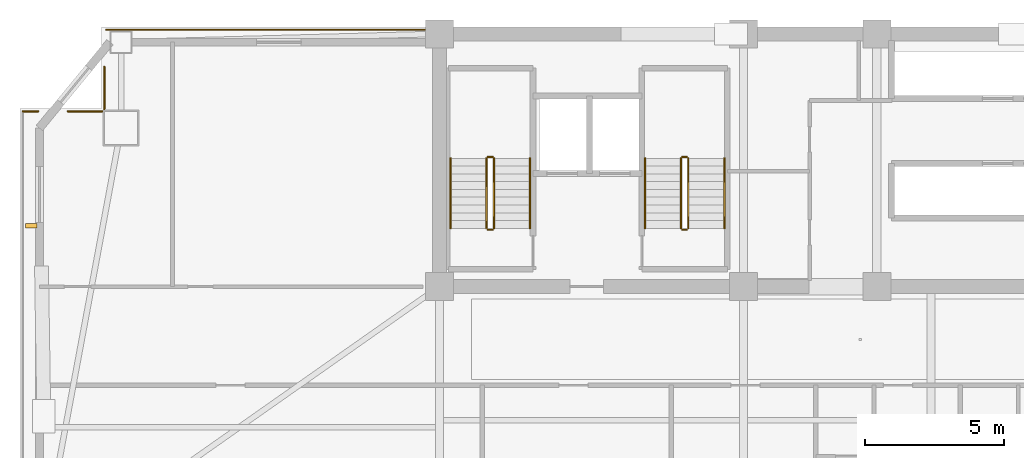
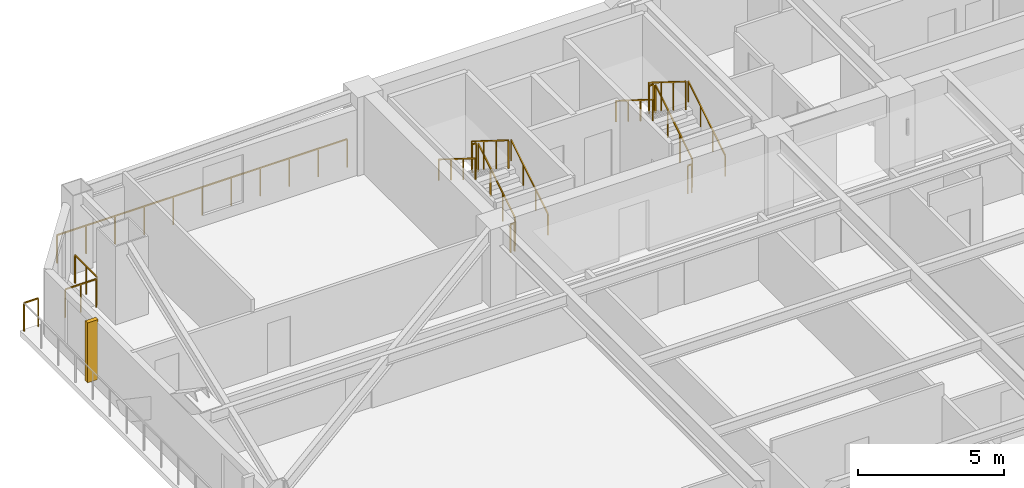
# One storey, part 14 of 15: 16 railings, 1 shading device.
"""IFC4 building model written with IfcOpenShell, lengths in metres."""

from ifc_helpers import new_model, si_unit, direction, frame, origin, origin_2d, place, context, subcontext, project, spatial, rectangle, extrude, source, transform, mapped, material, type_object, element, save


model = new_model("IFC4")

# Units and contexts
model_context = context("Model", 3, precision=1e-05, world=origin(), true_north=direction((0.0, 1.0)))
body_context = subcontext(model_context, "Body", "Model", "MODEL_VIEW")
ifc_project = project(units=[si_unit("LENGTHUNIT", "METRE"), si_unit("AREAUNIT", "SQUARE_METRE"), si_unit("VOLUMEUNIT", "CUBIC_METRE"), si_unit("PLANEANGLEUNIT", "RADIAN"), si_unit("MASSUNIT", "GRAM", prefix="KILO")], contexts=[model_context])

# Site, building, storey
site_placement = place(None, origin())
site = spatial("IfcSite", under=ifc_project, at=site_placement, CompositionType="ELEMENT")
building_placement = place(site_placement, origin())
building = spatial("IfcBuilding", under=site, at=building_placement, Name="Giltprow Tower", CompositionType="ELEMENT")
storey_placement = place(building_placement, frame((0.0, 0.0, 152.699951171875)))
storey = spatial("IfcBuildingStorey", under=building, at=storey_placement, Name="L37", CompositionType="ELEMENT", Elevation=152.699951171875)

# Railings
ifc_material = material(Name="Anodized bronze", Category="metal")
railing_type_1 = type_object("IfcRailingType", Name="RAIL-BALC-GUARD-1200", PredefinedType="BALUSTRADE", material=ifc_material)
railing_1_placement = place(storey_placement, frame((4.84912109375, 43.760986328125, 0.0)))
element("IfcRailing", 1, at=railing_1_placement, inside=storey, type_object=railing_type_1, Name="L37 Corner Apron Edge Balustrade 6", PredefinedType="BALUSTRADE", context=body_context, shape_type="SweptSolid", body=[
    extrude(rectangle(XDim=0.048095703125, YDim=0.048095703125, at=origin_2d()), frame((0.0, 0.0, 1.17578125), z_axis=(1.0, 0.0, 0.0), x_axis=(0.0, 1.0, 0.0)), (0.0, 0.0, 1.0), 0.561767578125),
    extrude(rectangle(XDim=0.0419921875, YDim=0.0419921875, at=origin_2d()), origin(), (0.0, 0.0, 1.0), 1.15185546875),
    extrude(rectangle(XDim=0.0419921875, YDim=0.0419921875, at=origin_2d()), frame((0.561767578125, 0.0, 0.0)), (0.0, 0.0, 1.0), 1.15185546875),
])
railing_2_placement = place(storey_placement, frame((6.472900390625, 43.760986328125, 0.0)))
element("IfcRailing", 2, at=railing_2_placement, inside=storey, type_object=railing_type_1, Name="L37 Corner Apron Edge Balustrade 7", PredefinedType="BALUSTRADE", context=body_context, shape_type="SweptSolid", body=[
    extrude(rectangle(XDim=0.048095703125, YDim=0.048095703125, at=origin_2d()), frame((0.0, 0.0, 1.17578125), z_axis=(1.0, 0.0, 0.0), x_axis=(0.0, 1.0, 0.0)), (0.0, 0.0, 1.0), 1.22998046875),
    extrude(rectangle(XDim=0.0419921875, YDim=0.0419921875, at=origin_2d()), origin(), (0.0, 0.0, 1.0), 1.15185546875),
    extrude(rectangle(XDim=0.0419921875, YDim=0.0419921875, at=origin_2d()), frame((0.614990234375, 0.0, 0.0)), (0.0, 0.0, 1.0), 1.15185546875),
    extrude(rectangle(XDim=0.0419921875, YDim=0.0419921875, at=origin_2d()), frame((1.22998046875, 0.0, 0.0)), (0.0, 0.0, 1.0), 1.15185546875),
])
railing_3_placement = place(storey_placement, frame((7.7880859375, 43.845947265625, 0.0)))
element("IfcRailing", 3, at=railing_3_placement, inside=storey, type_object=railing_type_1, Name="L37 Corner Apron Edge Balustrade 8", PredefinedType="BALUSTRADE", context=body_context, shape_type="SweptSolid", body=[
    extrude(rectangle(XDim=0.048095703125, YDim=0.048095703125, at=origin_2d()), frame((0.0, 0.0, 1.17578125), z_axis=(0.0, 1.0, 0.0), x_axis=(-1.0, 0.0, 0.0)), (0.0, 0.0, 1.0), 1.51513671875),
    extrude(rectangle(XDim=0.0419921875, YDim=0.0419921875, at=origin_2d()), origin(), (0.0, 0.0, 1.0), 1.15185546875),
    extrude(rectangle(XDim=0.0419921875, YDim=0.0419921875, at=origin_2d()), frame((0.0, 0.757568359375, 0.0)), (0.0, 0.0, 1.0), 1.15185546875),
    extrude(rectangle(XDim=0.0419921875, YDim=0.0419921875, at=origin_2d()), frame((0.0, 1.51513671875, 0.0)), (0.0, 0.0, 1.0), 1.15185546875),
])
railing_4_placement = place(storey_placement, frame((7.85009765625, 46.699951171875, 0.0)))
element("IfcRailing", 4, at=railing_4_placement, inside=storey, type_object=railing_type_1, Name="L37 Corner Apron Edge Balustrade 9", PredefinedType="BALUSTRADE", context=body_context, shape_type="SweptSolid", body=[
    extrude(rectangle(XDim=0.048095703125, YDim=0.048095703125, at=origin_2d()), frame((0.0, 0.0, 1.17578125), z_axis=(1.0, 0.0, 0.0), x_axis=(0.0, 1.0, 0.0)), (0.0, 0.0, 1.0), 11.46484375),
    extrude(rectangle(XDim=0.0419921875, YDim=0.0419921875, at=origin_2d()), origin(), (0.0, 0.0, 1.0), 1.15185546875),
    extrude(rectangle(XDim=0.0419921875, YDim=0.0419921875, at=origin_2d()), frame((1.146484375, 0.0, 0.0)), (0.0, 0.0, 1.0), 1.15185546875),
    extrude(rectangle(XDim=0.0419921875, YDim=0.0419921875, at=origin_2d()), frame((2.29296875, 0.0, 0.0)), (0.0, 0.0, 1.0), 1.15185546875),
    extrude(rectangle(XDim=0.0419921875, YDim=0.0419921875, at=origin_2d()), frame((3.439453125, 0.0, 0.0)), (0.0, 0.0, 1.0), 1.15185546875),
    extrude(rectangle(XDim=0.0419921875, YDim=0.0419921875, at=origin_2d()), frame((4.5859375, 0.0, 0.0)), (0.0, 0.0, 1.0), 1.15185546875),
    extrude(rectangle(XDim=0.0419921875, YDim=0.0419921875, at=origin_2d()), frame((5.732421875, 0.0, 0.0)), (0.0, 0.0, 1.0), 1.15185546875),
    extrude(rectangle(XDim=0.0419921875, YDim=0.0419921875, at=origin_2d()), frame((6.87890625, 0.0, 0.0)), (0.0, 0.0, 1.0), 1.15185546875),
    extrude(rectangle(XDim=0.0419921875, YDim=0.0419921875, at=origin_2d()), frame((8.025390625, 0.0, 0.0)), (0.0, 0.0, 1.0), 1.15185546875),
    extrude(rectangle(XDim=0.0419921875, YDim=0.0419921875, at=origin_2d()), frame((9.171875, 0.0, 0.0)), (0.0, 0.0, 1.0), 1.15185546875),
    extrude(rectangle(XDim=0.0419921875, YDim=0.0419921875, at=origin_2d()), frame((10.318359375, 0.0, 0.0)), (0.0, 0.0, 1.0), 1.15185546875),
    extrude(rectangle(XDim=0.0419921875, YDim=0.0419921875, at=origin_2d()), frame((11.46484375, 0.0, 0.0)), (0.0, 0.0, 1.0), 1.15185546875),
])
railing_type_2 = type_object("IfcRailingType", Name="RAIL-STAIR-GUARD-1200", PredefinedType="GUARDRAIL", material=ifc_material)
railing_5_placement = place(storey_placement, frame((21.81005859375, 39.550048828125, 0.175048828125)))
element("IfcRailing", 5, at=railing_5_placement, inside=storey, type_object=railing_type_2, Name="L37 ST-1 stair guard 1", PredefinedType="GUARDRAIL", context=body_context, shape_type="SweptSolid", body=[
    extrude(rectangle(XDim=0.048095703125, YDim=0.048095703125, at=origin_2d()), frame((0.0, 0.0, 1.17578125), z_axis=(0.0, 0.848007534815, 0.529984170421), x_axis=(-1.0, 0.0, 0.0)), (0.0, 0.0, 1.0), 2.9716796875),
    extrude(rectangle(XDim=0.0419921875, YDim=0.0419921875, at=origin_2d()), origin(), (0.0, 0.0, 1.0), 1.15185546875),
    extrude(rectangle(XDim=0.0419921875, YDim=0.0419921875, at=origin_2d()), frame((0.0, 0.840087890625, 0.52490234375)), (0.0, 0.0, 1.0), 1.15185546875),
    extrude(rectangle(XDim=0.0419921875, YDim=0.0419921875, at=origin_2d()), frame((0.0, 1.679931640625, 1.050048828125)), (0.0, 0.0, 1.0), 1.15185546875),
    extrude(rectangle(XDim=0.0419921875, YDim=0.0419921875, at=origin_2d()), frame((0.0, 2.52001953125, 1.574951171875)), (0.0, 0.0, 1.0), 1.15185546875),
])
railing_6_placement = place(storey_placement, frame((21.760009765625, 42.1201171875, 1.75)))
element("IfcRailing", 6, at=railing_6_placement, inside=storey, type_object=railing_type_2, Name="L37 ST-1 stair guard 2", PredefinedType="GUARDRAIL", context=body_context, shape_type="SweptSolid", body=[
    extrude(rectangle(XDim=0.048095703125, YDim=0.048095703125, at=origin_2d()), frame((0.0, 0.0, 1.17578125), z_axis=(-1.0, 0.0, 0.0), x_axis=(0.0, -1.0, 0.0)), (0.0, 0.0, 1.0), 0.159912109375),
    extrude(rectangle(XDim=0.0419921875, YDim=0.0419921875, at=origin_2d()), origin(), (0.0, 0.0, 1.0), 1.15185546875),
    extrude(rectangle(XDim=0.0419921875, YDim=0.0419921875, at=origin_2d()), frame((-0.159912109375, 0.0, 0.0)), (0.0, 0.0, 1.0), 1.15185546875),
])
railing_7_placement = place(storey_placement, frame((21.550048828125, 42.070068359375, 1.925048828125)))
element("IfcRailing", 7, at=railing_7_placement, inside=storey, type_object=railing_type_2, Name="L37 ST-1 stair guard 3", PredefinedType="GUARDRAIL", context=body_context, shape_type="SweptSolid", body=[
    extrude(rectangle(XDim=0.048095703125, YDim=0.048095703125, at=origin_2d()), frame((0.0, 0.0, 1.17578125), z_axis=(0.0, -0.848007534815, 0.529984170421), x_axis=(1.0, 0.0, 0.0)), (0.0, 0.0, 1.0), 2.9716796875),
    extrude(rectangle(XDim=0.0419921875, YDim=0.0419921875, at=origin_2d()), origin(), (0.0, 0.0, 1.0), 1.15185546875),
    extrude(rectangle(XDim=0.0419921875, YDim=0.0419921875, at=origin_2d()), frame((0.0, -0.840087890625, 0.52490234375)), (0.0, 0.0, 1.0), 1.15185546875),
    extrude(rectangle(XDim=0.0419921875, YDim=0.0419921875, at=origin_2d()), frame((0.0, -1.679931640625, 1.050048828125)), (0.0, 0.0, 1.0), 1.15185546875),
    extrude(rectangle(XDim=0.0419921875, YDim=0.0419921875, at=origin_2d()), frame((0.0, -2.52001953125, 1.574951171875)), (0.0, 0.0, 1.0), 1.15185546875),
])
railing_8_placement = place(storey_placement, frame((21.760009765625, 39.5, 0.0)))
element("IfcRailing", 8, at=railing_8_placement, inside=storey, type_object=railing_type_2, Name="L37 ST-1 stair guard 4", PredefinedType="GUARDRAIL", context=body_context, shape_type="SweptSolid", body=[
    extrude(rectangle(XDim=0.048095703125, YDim=0.048095703125, at=origin_2d()), frame((0.0, 0.0, 1.17578125), z_axis=(-1.0, 0.0, 0.0), x_axis=(0.0, -1.0, 0.0)), (0.0, 0.0, 1.0), 0.159912109375),
    extrude(rectangle(XDim=0.0419921875, YDim=0.0419921875, at=origin_2d()), origin(), (0.0, 0.0, 1.0), 1.15185546875),
    extrude(rectangle(XDim=0.0419921875, YDim=0.0419921875, at=origin_2d()), frame((-0.159912109375, 0.0, 0.0)), (0.0, 0.0, 1.0), 1.15185546875),
])
railing_9_placement = place(storey_placement, frame((28.81005859375, 39.550048828125, 0.175048828125)))
element("IfcRailing", 9, at=railing_9_placement, inside=storey, type_object=railing_type_2, Name="L37 ST-2 stair guard 1", PredefinedType="GUARDRAIL", context=body_context, shape_type="SweptSolid", body=[
    extrude(rectangle(XDim=0.048095703125, YDim=0.048095703125, at=origin_2d()), frame((0.0, 0.0, 1.17578125), z_axis=(0.0, 0.848007534815, 0.529984170421), x_axis=(-1.0, 0.0, 0.0)), (0.0, 0.0, 1.0), 2.9716796875),
    extrude(rectangle(XDim=0.0419921875, YDim=0.0419921875, at=origin_2d()), origin(), (0.0, 0.0, 1.0), 1.15185546875),
    extrude(rectangle(XDim=0.0419921875, YDim=0.0419921875, at=origin_2d()), frame((0.0, 0.840087890625, 0.52490234375)), (0.0, 0.0, 1.0), 1.15185546875),
    extrude(rectangle(XDim=0.0419921875, YDim=0.0419921875, at=origin_2d()), frame((0.0, 1.679931640625, 1.050048828125)), (0.0, 0.0, 1.0), 1.15185546875),
    extrude(rectangle(XDim=0.0419921875, YDim=0.0419921875, at=origin_2d()), frame((0.0, 2.52001953125, 1.574951171875)), (0.0, 0.0, 1.0), 1.15185546875),
])
railing_10_placement = place(storey_placement, frame((28.760009765625, 42.1201171875, 1.75)))
element("IfcRailing", 10, at=railing_10_placement, inside=storey, type_object=railing_type_2, Name="L37 ST-2 stair guard 2", PredefinedType="GUARDRAIL", context=body_context, shape_type="SweptSolid", body=[
    extrude(rectangle(XDim=0.048095703125, YDim=0.048095703125, at=origin_2d()), frame((0.0, 0.0, 1.17578125), z_axis=(-1.0, 0.0, 0.0), x_axis=(0.0, -1.0, 0.0)), (0.0, 0.0, 1.0), 0.159912109375),
    extrude(rectangle(XDim=0.0419921875, YDim=0.0419921875, at=origin_2d()), origin(), (0.0, 0.0, 1.0), 1.15185546875),
    extrude(rectangle(XDim=0.0419921875, YDim=0.0419921875, at=origin_2d()), frame((-0.159912109375, 0.0, 0.0)), (0.0, 0.0, 1.0), 1.15185546875),
])
railing_11_placement = place(storey_placement, frame((28.550048828125, 42.070068359375, 1.925048828125)))
element("IfcRailing", 11, at=railing_11_placement, inside=storey, type_object=railing_type_2, Name="L37 ST-2 stair guard 3", PredefinedType="GUARDRAIL", context=body_context, shape_type="SweptSolid", body=[
    extrude(rectangle(XDim=0.048095703125, YDim=0.048095703125, at=origin_2d()), frame((0.0, 0.0, 1.17578125), z_axis=(0.0, -0.848007534815, 0.529984170421), x_axis=(1.0, 0.0, 0.0)), (0.0, 0.0, 1.0), 2.9716796875),
    extrude(rectangle(XDim=0.0419921875, YDim=0.0419921875, at=origin_2d()), origin(), (0.0, 0.0, 1.0), 1.15185546875),
    extrude(rectangle(XDim=0.0419921875, YDim=0.0419921875, at=origin_2d()), frame((0.0, -0.840087890625, 0.52490234375)), (0.0, 0.0, 1.0), 1.15185546875),
    extrude(rectangle(XDim=0.0419921875, YDim=0.0419921875, at=origin_2d()), frame((0.0, -1.679931640625, 1.050048828125)), (0.0, 0.0, 1.0), 1.15185546875),
    extrude(rectangle(XDim=0.0419921875, YDim=0.0419921875, at=origin_2d()), frame((0.0, -2.52001953125, 1.574951171875)), (0.0, 0.0, 1.0), 1.15185546875),
])
railing_12_placement = place(storey_placement, frame((28.760009765625, 39.5, 0.0)))
element("IfcRailing", 12, at=railing_12_placement, inside=storey, type_object=railing_type_2, Name="L37 ST-2 stair guard 4", PredefinedType="GUARDRAIL", context=body_context, shape_type="SweptSolid", body=[
    extrude(rectangle(XDim=0.048095703125, YDim=0.048095703125, at=origin_2d()), frame((0.0, 0.0, 1.17578125), z_axis=(-1.0, 0.0, 0.0), x_axis=(0.0, -1.0, 0.0)), (0.0, 0.0, 1.0), 0.159912109375),
    extrude(rectangle(XDim=0.0419921875, YDim=0.0419921875, at=origin_2d()), origin(), (0.0, 0.0, 1.0), 1.15185546875),
    extrude(rectangle(XDim=0.0419921875, YDim=0.0419921875, at=origin_2d()), frame((-0.159912109375, 0.0, 0.0)), (0.0, 0.0, 1.0), 1.15185546875),
])
railing_type_3 = type_object("IfcRailingType", Name="RAIL-STAIR-HAND-900", PredefinedType="HANDRAIL", material=ifc_material)
railing_13_placement = place(storey_placement, frame((23.110107421875, 39.550048828125, 0.175048828125)))
element("IfcRailing", 13, at=railing_13_placement, inside=storey, type_object=railing_type_3, Name="L37 ST-1 stair handrail 1", PredefinedType="HANDRAIL", context=body_context, shape_type="SweptSolid", body=[
    extrude(rectangle(XDim=0.048095703125, YDim=0.048095703125, at=origin_2d()), frame((0.0, 0.0, 0.8759765625), z_axis=(0.0, 0.848007534815, 0.529984170421), x_axis=(-1.0, 0.0, 0.0)), (0.0, 0.0, 1.0), 2.9716796875),
    extrude(rectangle(XDim=0.0419921875, YDim=0.0419921875, at=origin_2d()), origin(), (0.0, 0.0, 1.0), 0.851806640625),
    extrude(rectangle(XDim=0.0419921875, YDim=0.0419921875, at=origin_2d()), frame((0.0, 0.840087890625, 0.52490234375)), (0.0, 0.0, 1.0), 0.851806640625),
    extrude(rectangle(XDim=0.0419921875, YDim=0.0419921875, at=origin_2d()), frame((0.0, 1.679931640625, 1.050048828125)), (0.0, 0.0, 1.0), 0.851806640625),
    extrude(rectangle(XDim=0.0419921875, YDim=0.0419921875, at=origin_2d()), frame((0.0, 2.52001953125, 1.574951171875)), (0.0, 0.0, 1.0), 0.851806640625),
])
railing_14_placement = place(storey_placement, frame((20.25, 42.070068359375, 1.925048828125)))
element("IfcRailing", 14, at=railing_14_placement, inside=storey, type_object=railing_type_3, Name="L37 ST-1 stair handrail 2", PredefinedType="HANDRAIL", context=body_context, shape_type="SweptSolid", body=[
    extrude(rectangle(XDim=0.048095703125, YDim=0.048095703125, at=origin_2d()), frame((0.0, 0.0, 0.8759765625), z_axis=(0.0, -0.848007534815, 0.529984170421), x_axis=(1.0, 0.0, 0.0)), (0.0, 0.0, 1.0), 2.9716796875),
    extrude(rectangle(XDim=0.0419921875, YDim=0.0419921875, at=origin_2d()), origin(), (0.0, 0.0, 1.0), 0.851806640625),
    extrude(rectangle(XDim=0.0419921875, YDim=0.0419921875, at=origin_2d()), frame((0.0, -0.840087890625, 0.52490234375)), (0.0, 0.0, 1.0), 0.851806640625),
    extrude(rectangle(XDim=0.0419921875, YDim=0.0419921875, at=origin_2d()), frame((0.0, -1.679931640625, 1.050048828125)), (0.0, 0.0, 1.0), 0.851806640625),
    extrude(rectangle(XDim=0.0419921875, YDim=0.0419921875, at=origin_2d()), frame((0.0, -2.52001953125, 1.574951171875)), (0.0, 0.0, 1.0), 0.851806640625),
])
railing_15_placement = place(storey_placement, frame((30.110107421875, 39.550048828125, 0.175048828125)))
element("IfcRailing", 15, at=railing_15_placement, inside=storey, type_object=railing_type_3, Name="L37 ST-2 stair handrail 1", PredefinedType="HANDRAIL", context=body_context, shape_type="SweptSolid", body=[
    extrude(rectangle(XDim=0.048095703125, YDim=0.048095703125, at=origin_2d()), frame((0.0, 0.0, 0.8759765625), z_axis=(0.0, 0.848007534815, 0.529984170421), x_axis=(-1.0, 0.0, 0.0)), (0.0, 0.0, 1.0), 2.9716796875),
    extrude(rectangle(XDim=0.0419921875, YDim=0.0419921875, at=origin_2d()), origin(), (0.0, 0.0, 1.0), 0.851806640625),
    extrude(rectangle(XDim=0.0419921875, YDim=0.0419921875, at=origin_2d()), frame((0.0, 0.840087890625, 0.52490234375)), (0.0, 0.0, 1.0), 0.851806640625),
    extrude(rectangle(XDim=0.0419921875, YDim=0.0419921875, at=origin_2d()), frame((0.0, 1.679931640625, 1.050048828125)), (0.0, 0.0, 1.0), 0.851806640625),
    extrude(rectangle(XDim=0.0419921875, YDim=0.0419921875, at=origin_2d()), frame((0.0, 2.52001953125, 1.574951171875)), (0.0, 0.0, 1.0), 0.851806640625),
])
railing_16_placement = place(storey_placement, frame((27.25, 42.070068359375, 1.925048828125)))
element("IfcRailing", 16, at=railing_16_placement, inside=storey, type_object=railing_type_3, Name="L37 ST-2 stair handrail 2", PredefinedType="HANDRAIL", context=body_context, shape_type="SweptSolid", body=[
    extrude(rectangle(XDim=0.048095703125, YDim=0.048095703125, at=origin_2d()), frame((0.0, 0.0, 0.8759765625), z_axis=(0.0, -0.848007534815, 0.529984170421), x_axis=(1.0, 0.0, 0.0)), (0.0, 0.0, 1.0), 2.9716796875),
    extrude(rectangle(XDim=0.0419921875, YDim=0.0419921875, at=origin_2d()), origin(), (0.0, 0.0, 1.0), 0.851806640625),
    extrude(rectangle(XDim=0.0419921875, YDim=0.0419921875, at=origin_2d()), frame((0.0, -0.840087890625, 0.52490234375)), (0.0, 0.0, 1.0), 0.851806640625),
    extrude(rectangle(XDim=0.0419921875, YDim=0.0419921875, at=origin_2d()), frame((0.0, -1.679931640625, 1.050048828125)), (0.0, 0.0, 1.0), 0.851806640625),
    extrude(rectangle(XDim=0.0419921875, YDim=0.0419921875, at=origin_2d()), frame((0.0, -2.52001953125, 1.574951171875)), (0.0, 0.0, 1.0), 0.851806640625),
])

# Shading device
shading_device_type = type_object("IfcShadingDeviceType", Name="SHD-FIN-420", PredefinedType="USERDEFINED", material=ifc_material)
shared_shape = source(origin(), body_context, "Body", "SweptSolid", [
    extrude(rectangle(XDim=0.419921875, YDim=0.159912109375, at=origin_2d()), origin(), (0.0, 0.0, 1.0), 2.5),
])
shading_device_placement = place(storey_placement, frame((5.14892578125, 39.64794921875, 0.35009765625), z_axis=(0.0, 0.0, 1.0), x_axis=(1.0, 0.0, 0.0)))
element("IfcShadingDevice", 17, at=shading_device_placement, inside=storey, type_object=shading_device_type, Name="L37 W Bronze Vertical Fin 2-2", ObjectType="FIN", PredefinedType="USERDEFINED", context=body_context, shape_type="MappedRepresentation", body=[
    mapped(shared_shape, transform((0.0, 0.0, 0.0), x_axis=(1.0, 0.0, 0.0), y_axis=(0.0, 1.0, 0.0), z_axis=(0.0, 0.0, 1.0), scale=1.0)),
])

save(model, "model.ifc")
